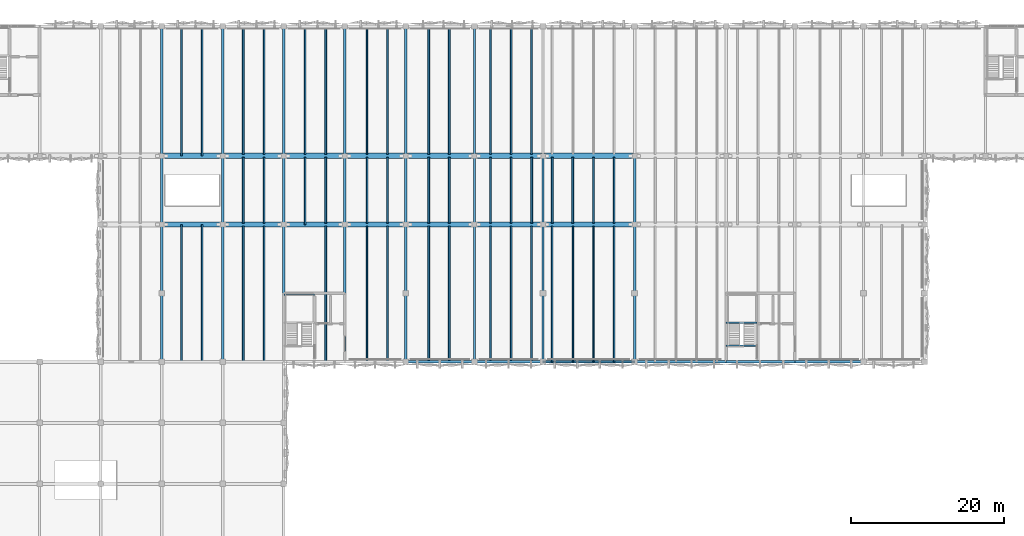
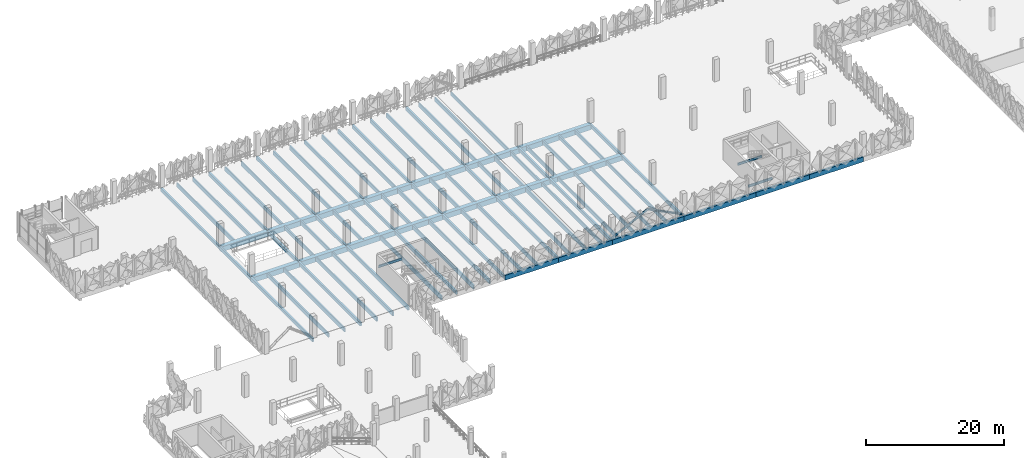
# One storey, part 13 of 83: 89 beams, 2 members.
"""IFC4 building model written with IfcOpenShell, lengths in metres."""

from ifc_helpers import new_model, si_unit, derived_unit, direction, frame, origin, origin_2d, place, context, subcontext, project, spatial, rectangle, hollow_circle, i_section, extrude, material, material_profile, profile_set, type_object, element, save


model = new_model("IFC4")

# Units and contexts
model_context = context("Model", 3, precision=1e-05, world=origin(), true_north=direction((0.0, 1.0)))
body_context = subcontext(model_context, "Body", "Model", "MODEL_VIEW")
ifc_project = project(units=[si_unit("LENGTHUNIT", "METRE"), si_unit("AREAUNIT", "SQUARE_METRE"), si_unit("VOLUMEUNIT", "CUBIC_METRE"), si_unit("PLANEANGLEUNIT", "RADIAN"), si_unit("MASSUNIT", "GRAM", prefix="KILO"), si_unit("THERMODYNAMICTEMPERATUREUNIT", "KELVIN"), derived_unit("THERMALTRANSMITTANCEUNIT", [(si_unit("POWERUNIT", "WATT"), 1), (si_unit("AREAUNIT", "SQUARE_METRE"), -1), (si_unit("THERMODYNAMICTEMPERATUREUNIT", "KELVIN"), -1)])], contexts=[model_context])

# Site, building, storey
site_placement = place(None, origin())
site = spatial("IfcSite", under=ifc_project, at=site_placement, CompositionType="ELEMENT")
building_placement = place(site_placement, origin())
building = spatial("IfcBuilding", under=site, at=building_placement, Name="Haiyu Intermodal Mobility Hub", CompositionType="ELEMENT")
storey_placement = place(building_placement, frame((0.0, 0.0, 13.39990234375)))
storey = spatial("IfcBuildingStorey", under=building, at=storey_placement, Name="L03", CompositionType="ELEMENT", Elevation=13.39990234375)

# Beams
ifc_material_1 = material(Name="Concrete C40", Category="concrete")
ifc_material_profile_1 = material_profile(ifc_material_1, rectangle(XDim=0.300048828125, YDim=0.60009765625, at=origin_2d()), Name="RCB300x600")
ifc_profile_set_1 = profile_set([ifc_material_profile_1], Name="Concrete C40")
beam_type_1 = type_object("IfcBeamType", Name="BM-CB07", PredefinedType="JOIST", material=ifc_profile_set_1)
beam_1_placement = place(storey_placement, frame((46.0, 104.0, -0.574951171875), z_axis=(0.0, 1.0, 0.0), x_axis=(-1.0, 0.0, 0.0)))
element("IfcBeam", 1, at=beam_1_placement, inside=storey, type_object=beam_type_1, Name="BM-V4E-L03-006", PredefinedType="JOIST", context=body_context, shape_type="SweptSolid", body=[
    extrude(rectangle(XDim=0.300048828125, YDim=0.60009765625, at=origin_2d()), origin(), (0.0, 0.0, 1.0), 18.0),
])
beam_2_placement = place(storey_placement, frame((46.0, 122.0, -0.574951171875), z_axis=(0.0, 1.0, 0.0), x_axis=(-1.0, 0.0, 0.0)))
element("IfcBeam", 2, at=beam_2_placement, inside=storey, type_object=beam_type_1, Name="BM-V4E-L03-007", PredefinedType="JOIST", context=body_context, shape_type="SweptSolid", body=[
    extrude(rectangle(XDim=0.300048828125, YDim=0.60009765625, at=origin_2d()), origin(), (0.0, 0.0, 1.0), 9.0),
])
beam_3_placement = place(storey_placement, frame((46.0, 131.0, -0.574951171875), z_axis=(0.0, 1.0, 0.0), x_axis=(-1.0, 0.0, 0.0)))
element("IfcBeam", 3, at=beam_3_placement, inside=storey, type_object=beam_type_1, Name="BM-V4E-L03-008", PredefinedType="JOIST", context=body_context, shape_type="SweptSolid", body=[
    extrude(rectangle(XDim=0.300048828125, YDim=0.60009765625, at=origin_2d()), origin(), (0.0, 0.0, 1.0), 17.0),
])
beam_4_placement = place(storey_placement, frame((54.0, 104.0, -0.574951171875), z_axis=(0.0, 1.0, 0.0), x_axis=(-1.0, 0.0, 0.0)))
element("IfcBeam", 4, at=beam_4_placement, inside=storey, type_object=beam_type_1, Name="BM-V4E-L03-009", PredefinedType="JOIST", context=body_context, shape_type="SweptSolid", body=[
    extrude(rectangle(XDim=0.300048828125, YDim=0.60009765625, at=origin_2d()), origin(), (0.0, 0.0, 1.0), 18.0),
])
beam_5_placement = place(storey_placement, frame((54.0, 122.0, -0.574951171875), z_axis=(0.0, 1.0, 0.0), x_axis=(-1.0, 0.0, 0.0)))
element("IfcBeam", 5, at=beam_5_placement, inside=storey, type_object=beam_type_1, Name="BM-V4E-L03-010", PredefinedType="JOIST", context=body_context, shape_type="SweptSolid", body=[
    extrude(rectangle(XDim=0.300048828125, YDim=0.60009765625, at=origin_2d()), origin(), (0.0, 0.0, 1.0), 9.0),
])
beam_6_placement = place(storey_placement, frame((54.0, 131.0, -0.574951171875), z_axis=(0.0, 1.0, 0.0), x_axis=(-1.0, 0.0, 0.0)))
element("IfcBeam", 6, at=beam_6_placement, inside=storey, type_object=beam_type_1, Name="BM-V4E-L03-011", PredefinedType="JOIST", context=body_context, shape_type="SweptSolid", body=[
    extrude(rectangle(XDim=0.300048828125, YDim=0.60009765625, at=origin_2d()), origin(), (0.0, 0.0, 1.0), 17.0),
])
beam_7_placement = place(storey_placement, frame((62.0, 104.0, -0.574951171875), z_axis=(0.0, 1.0, 0.0), x_axis=(-1.0, 0.0, 0.0)))
element("IfcBeam", 7, at=beam_7_placement, inside=storey, type_object=beam_type_1, Name="BM-V4E-L03-012", PredefinedType="JOIST", context=body_context, shape_type="SweptSolid", body=[
    extrude(rectangle(XDim=0.300048828125, YDim=0.60009765625, at=origin_2d()), origin(), (0.0, 0.0, 1.0), 18.0),
])
beam_8_placement = place(storey_placement, frame((62.0, 122.0, -0.574951171875), z_axis=(0.0, 1.0, 0.0), x_axis=(-1.0, 0.0, 0.0)))
element("IfcBeam", 8, at=beam_8_placement, inside=storey, type_object=beam_type_1, Name="BM-V4E-L03-013", PredefinedType="JOIST", context=body_context, shape_type="SweptSolid", body=[
    extrude(rectangle(XDim=0.300048828125, YDim=0.60009765625, at=origin_2d()), origin(), (0.0, 0.0, 1.0), 9.0),
])
beam_9_placement = place(storey_placement, frame((62.0, 131.0, -0.574951171875), z_axis=(0.0, 1.0, 0.0), x_axis=(-1.0, 0.0, 0.0)))
element("IfcBeam", 9, at=beam_9_placement, inside=storey, type_object=beam_type_1, Name="BM-V4E-L03-014", PredefinedType="JOIST", context=body_context, shape_type="SweptSolid", body=[
    extrude(rectangle(XDim=0.300048828125, YDim=0.60009765625, at=origin_2d()), origin(), (0.0, 0.0, 1.0), 17.0),
])
beam_10_placement = place(storey_placement, frame((70.0, 104.0, -0.574951171875), z_axis=(0.0, 1.0, 0.0), x_axis=(-1.0, 0.0, 0.0)))
element("IfcBeam", 10, at=beam_10_placement, inside=storey, type_object=beam_type_1, Name="BM-V4E-L03-015", PredefinedType="JOIST", context=body_context, shape_type="SweptSolid", body=[
    extrude(rectangle(XDim=0.300048828125, YDim=0.60009765625, at=origin_2d()), origin(), (0.0, 0.0, 1.0), 18.0),
])
beam_11_placement = place(storey_placement, frame((70.0, 122.0, -0.574951171875), z_axis=(0.0, 1.0, 0.0), x_axis=(-1.0, 0.0, 0.0)))
element("IfcBeam", 11, at=beam_11_placement, inside=storey, type_object=beam_type_1, Name="BM-V4E-L03-016", PredefinedType="JOIST", context=body_context, shape_type="SweptSolid", body=[
    extrude(rectangle(XDim=0.300048828125, YDim=0.60009765625, at=origin_2d()), origin(), (0.0, 0.0, 1.0), 9.0),
])
beam_12_placement = place(storey_placement, frame((70.0, 131.0, -0.574951171875), z_axis=(0.0, 1.0, 0.0), x_axis=(-1.0, 0.0, 0.0)))
element("IfcBeam", 12, at=beam_12_placement, inside=storey, type_object=beam_type_1, Name="BM-V4E-L03-017", PredefinedType="JOIST", context=body_context, shape_type="SweptSolid", body=[
    extrude(rectangle(XDim=0.300048828125, YDim=0.60009765625, at=origin_2d()), origin(), (0.0, 0.0, 1.0), 17.0),
])
beam_13_placement = place(storey_placement, frame((78.0, 104.0, -0.574951171875), z_axis=(0.0, 1.0, 0.0), x_axis=(-1.0, 0.0, 0.0)))
element("IfcBeam", 13, at=beam_13_placement, inside=storey, type_object=beam_type_1, Name="BM-V4E-L03-018", PredefinedType="JOIST", context=body_context, shape_type="SweptSolid", body=[
    extrude(rectangle(XDim=0.300048828125, YDim=0.60009765625, at=origin_2d()), origin(), (0.0, 0.0, 1.0), 18.0),
])
beam_14_placement = place(storey_placement, frame((78.0, 122.0, -0.574951171875), z_axis=(0.0, 1.0, 0.0), x_axis=(-1.0, 0.0, 0.0)))
element("IfcBeam", 14, at=beam_14_placement, inside=storey, type_object=beam_type_1, Name="BM-V4E-L03-019", PredefinedType="JOIST", context=body_context, shape_type="SweptSolid", body=[
    extrude(rectangle(XDim=0.300048828125, YDim=0.60009765625, at=origin_2d()), origin(), (0.0, 0.0, 1.0), 9.0),
])
beam_15_placement = place(storey_placement, frame((78.0, 131.0, -0.574951171875), z_axis=(0.0, 1.0, 0.0), x_axis=(-1.0, 0.0, 0.0)))
element("IfcBeam", 15, at=beam_15_placement, inside=storey, type_object=beam_type_1, Name="BM-V4E-L03-020", PredefinedType="JOIST", context=body_context, shape_type="SweptSolid", body=[
    extrude(rectangle(XDim=0.300048828125, YDim=0.60009765625, at=origin_2d()), origin(), (0.0, 0.0, 1.0), 17.0),
])
beam_16_placement = place(storey_placement, frame((87.0, 104.0, -0.574951171875), z_axis=(0.0, 1.0, 0.0), x_axis=(-1.0, 0.0, 0.0)))
element("IfcBeam", 16, at=beam_16_placement, inside=storey, type_object=beam_type_1, Name="BM-V4E-L03-021", PredefinedType="JOIST", context=body_context, shape_type="SweptSolid", body=[
    extrude(rectangle(XDim=0.300048828125, YDim=0.60009765625, at=origin_2d()), origin(), (0.0, 0.0, 1.0), 18.0),
])
beam_17_placement = place(storey_placement, frame((87.0, 122.0, -0.574951171875), z_axis=(0.0, 1.0, 0.0), x_axis=(-1.0, 0.0, 0.0)))
element("IfcBeam", 17, at=beam_17_placement, inside=storey, type_object=beam_type_1, Name="BM-V4E-L03-022", PredefinedType="JOIST", context=body_context, shape_type="SweptSolid", body=[
    extrude(rectangle(XDim=0.300048828125, YDim=0.60009765625, at=origin_2d()), origin(), (0.0, 0.0, 1.0), 9.0),
])
beam_18_placement = place(storey_placement, frame((87.0, 131.0, -0.574951171875), z_axis=(0.0, 1.0, 0.0), x_axis=(-1.0, 0.0, 0.0)))
element("IfcBeam", 18, at=beam_18_placement, inside=storey, type_object=beam_type_1, Name="BM-V4E-L03-023", PredefinedType="JOIST", context=body_context, shape_type="SweptSolid", body=[
    extrude(rectangle(XDim=0.300048828125, YDim=0.60009765625, at=origin_2d()), origin(), (0.0, 0.0, 1.0), 17.0),
])
beam_19_placement = place(storey_placement, frame((96.0, 104.0, -0.574951171875), z_axis=(0.0, 1.0, 0.0), x_axis=(-1.0, 0.0, 0.0)))
element("IfcBeam", 19, at=beam_19_placement, inside=storey, type_object=beam_type_1, Name="BM-V4E-L03-024", PredefinedType="JOIST", context=body_context, shape_type="SweptSolid", body=[
    extrude(rectangle(XDim=0.300048828125, YDim=0.60009765625, at=origin_2d()), origin(), (0.0, 0.0, 1.0), 18.0),
])
beam_20_placement = place(storey_placement, frame((96.0, 122.0, -0.574951171875), z_axis=(0.0, 1.0, 0.0), x_axis=(-1.0, 0.0, 0.0)))
element("IfcBeam", 20, at=beam_20_placement, inside=storey, type_object=beam_type_1, Name="BM-V4E-L03-025", PredefinedType="JOIST", context=body_context, shape_type="SweptSolid", body=[
    extrude(rectangle(XDim=0.300048828125, YDim=0.60009765625, at=origin_2d()), origin(), (0.0, 0.0, 1.0), 9.0),
])
beam_21_placement = place(storey_placement, frame((108.0, 104.0, -0.574951171875), z_axis=(0.0, 1.0, 0.0), x_axis=(-1.0, 0.0, 0.0)))
element("IfcBeam", 21, at=beam_21_placement, inside=storey, type_object=beam_type_1, Name="BM-V4E-L03-027", PredefinedType="JOIST", context=body_context, shape_type="SweptSolid", body=[
    extrude(rectangle(XDim=0.300048828125, YDim=0.60009765625, at=origin_2d()), origin(), (0.0, 0.0, 1.0), 18.0),
])
beam_22_placement = place(storey_placement, frame((108.0, 122.0, -0.574951171875), z_axis=(0.0, 1.0, 0.0), x_axis=(-1.0, 0.0, 0.0)))
element("IfcBeam", 22, at=beam_22_placement, inside=storey, type_object=beam_type_1, Name="BM-V4E-L03-028", PredefinedType="JOIST", context=body_context, shape_type="SweptSolid", body=[
    extrude(rectangle(XDim=0.300048828125, YDim=0.60009765625, at=origin_2d()), origin(), (0.0, 0.0, 1.0), 9.0),
])
ifc_material_2 = material(Name="Precast concrete C50", Category="concrete")
ifc_material_profile_2 = material_profile(ifc_material_2, rectangle(XDim=0.219970703125, YDim=0.719970703125, at=origin_2d()), Name="PC220x720")
ifc_profile_set_2 = profile_set([ifc_material_profile_2], Name="Precast concrete C50")
beam_type_2 = type_object("IfcBeamType", Name="BM-DT02", PredefinedType="JOIST", material=ifc_profile_set_2)
beam_23_placement = place(storey_placement, frame((48.60009765625, 104.0, -0.635009765625), z_axis=(0.0, 1.0, 0.0), x_axis=(-1.0, 0.0, 0.0)))
element("IfcBeam", 23, at=beam_23_placement, inside=storey, type_object=beam_type_2, Name="BM-DT-L03-007", PredefinedType="JOIST", context=body_context, shape_type="SweptSolid", body=[
    extrude(rectangle(XDim=0.219970703125, YDim=0.719970703125, at=origin_2d()), origin(), (0.0, 0.0, 1.0), 18.0),
])
beam_24_placement = place(storey_placement, frame((48.60009765625, 131.0, -0.635009765625), z_axis=(0.0, 1.0, 0.0), x_axis=(-1.0, 0.0, 0.0)))
element("IfcBeam", 24, at=beam_24_placement, inside=storey, type_object=beam_type_2, Name="BM-DT-L03-008", PredefinedType="JOIST", context=body_context, shape_type="SweptSolid", body=[
    extrude(rectangle(XDim=0.219970703125, YDim=0.719970703125, at=origin_2d()), origin(), (0.0, 0.0, 1.0), 17.0),
])
beam_25_placement = place(storey_placement, frame((51.300048828125, 104.0, -0.635009765625), z_axis=(0.0, 1.0, 0.0), x_axis=(-1.0, 0.0, 0.0)))
element("IfcBeam", 25, at=beam_25_placement, inside=storey, type_object=beam_type_2, Name="BM-DT-L03-009", PredefinedType="JOIST", context=body_context, shape_type="SweptSolid", body=[
    extrude(rectangle(XDim=0.219970703125, YDim=0.719970703125, at=origin_2d()), origin(), (0.0, 0.0, 1.0), 18.0),
])
beam_26_placement = place(storey_placement, frame((51.300048828125, 131.0, -0.635009765625), z_axis=(0.0, 1.0, 0.0), x_axis=(-1.0, 0.0, 0.0)))
element("IfcBeam", 26, at=beam_26_placement, inside=storey, type_object=beam_type_2, Name="BM-DT-L03-010", PredefinedType="JOIST", context=body_context, shape_type="SweptSolid", body=[
    extrude(rectangle(XDim=0.219970703125, YDim=0.719970703125, at=origin_2d()), origin(), (0.0, 0.0, 1.0), 17.0),
])
beam_27_placement = place(storey_placement, frame((56.699951171875, 104.0, -0.635009765625), z_axis=(0.0, 1.0, 0.0), x_axis=(-1.0, 0.0, 0.0)))
element("IfcBeam", 27, at=beam_27_placement, inside=storey, type_object=beam_type_2, Name="BM-DT-L03-011", PredefinedType="JOIST", context=body_context, shape_type="SweptSolid", body=[
    extrude(rectangle(XDim=0.219970703125, YDim=0.719970703125, at=origin_2d()), origin(), (0.0, 0.0, 1.0), 17.804931640625),
])
beam_28_placement = place(storey_placement, frame((56.699951171875, 131.195068359375, -0.635009765625), z_axis=(0.0, 1.0, 0.0), x_axis=(-1.0, 0.0, 0.0)))
element("IfcBeam", 28, at=beam_28_placement, inside=storey, type_object=beam_type_2, Name="BM-DT-L03-013", PredefinedType="JOIST", context=body_context, shape_type="SweptSolid", body=[
    extrude(rectangle(XDim=0.219970703125, YDim=0.719970703125, at=origin_2d()), origin(), (0.0, 0.0, 1.0), 16.804931640625),
])
beam_29_placement = place(storey_placement, frame((59.39990234375, 104.0, -0.635009765625), z_axis=(0.0, 1.0, 0.0), x_axis=(-1.0, 0.0, 0.0)))
element("IfcBeam", 29, at=beam_29_placement, inside=storey, type_object=beam_type_2, Name="BM-DT-L03-014", PredefinedType="JOIST", context=body_context, shape_type="SweptSolid", body=[
    extrude(rectangle(XDim=0.219970703125, YDim=0.719970703125, at=origin_2d()), origin(), (0.0, 0.0, 1.0), 17.804931640625),
])
for number, where, z_axis, x_axis, name in (
    (30, (59.39990234375, 131.195068359375, -0.635009765625), (0.0, 1.0, 0.0), (-1.0, 0.0, 0.0), "BM-DT-L03-016"),
    (31, (64.800048828125, 131.195068359375, -0.635009765625), (0.0, 1.0, 0.0), (-1.0, 0.0, 0.0), "BM-DT-L03-019"),
):
    element("IfcBeam", number, at=place(storey_placement, frame(where, z_axis=z_axis, x_axis=x_axis)), inside=storey, type_object=beam_type_2, Name=name, PredefinedType="JOIST", context=body_context, shape_type="SweptSolid", body=[
        extrude(rectangle(XDim=0.219970703125, YDim=0.719970703125, at=origin_2d()), origin(), (0.0, 0.0, 1.0), 16.804931640625),
    ])
beam_30_placement = place(storey_placement, frame((67.5, 104.0, -0.635009765625), z_axis=(0.0, 1.0, 0.0), x_axis=(-1.0, 0.0, 0.0)))
element("IfcBeam", 32, at=beam_30_placement, inside=storey, type_object=beam_type_2, Name="BM-DT-L03-020", PredefinedType="JOIST", context=body_context, shape_type="SweptSolid", body=[
    extrude(rectangle(XDim=0.219970703125, YDim=0.719970703125, at=origin_2d()), origin(), (0.0, 0.0, 1.0), 17.804931640625),
])
beam_31_placement = place(storey_placement, frame((67.5, 131.195068359375, -0.635009765625), z_axis=(0.0, 1.0, 0.0), x_axis=(-1.0, 0.0, 0.0)))
element("IfcBeam", 33, at=beam_31_placement, inside=storey, type_object=beam_type_2, Name="BM-DT-L03-022", PredefinedType="JOIST", context=body_context, shape_type="SweptSolid", body=[
    extrude(rectangle(XDim=0.219970703125, YDim=0.719970703125, at=origin_2d()), origin(), (0.0, 0.0, 1.0), 16.804931640625),
])
beam_32_placement = place(storey_placement, frame((72.89990234375, 104.0, -0.635009765625), z_axis=(0.0, 1.0, 0.0), x_axis=(-1.0, 0.0, 0.0)))
element("IfcBeam", 34, at=beam_32_placement, inside=storey, type_object=beam_type_2, Name="BM-DT-L03-023", PredefinedType="JOIST", context=body_context, shape_type="SweptSolid", body=[
    extrude(rectangle(XDim=0.219970703125, YDim=0.719970703125, at=origin_2d()), origin(), (0.0, 0.0, 1.0), 17.804931640625),
])
beam_33_placement = place(storey_placement, frame((72.89990234375, 131.195068359375, -0.635009765625), z_axis=(0.0, 1.0, 0.0), x_axis=(-1.0, 0.0, 0.0)))
element("IfcBeam", 35, at=beam_33_placement, inside=storey, type_object=beam_type_2, Name="BM-DT-L03-025", PredefinedType="JOIST", context=body_context, shape_type="SweptSolid", body=[
    extrude(rectangle(XDim=0.219970703125, YDim=0.719970703125, at=origin_2d()), origin(), (0.0, 0.0, 1.0), 16.804931640625),
])
beam_34_placement = place(storey_placement, frame((75.60009765625, 104.0, -0.635009765625), z_axis=(0.0, 1.0, 0.0), x_axis=(-1.0, 0.0, 0.0)))
element("IfcBeam", 36, at=beam_34_placement, inside=storey, type_object=beam_type_2, Name="BM-DT-L03-026", PredefinedType="JOIST", context=body_context, shape_type="SweptSolid", body=[
    extrude(rectangle(XDim=0.219970703125, YDim=0.719970703125, at=origin_2d()), origin(), (0.0, 0.0, 1.0), 17.804931640625),
])
beam_35_placement = place(storey_placement, frame((75.60009765625, 131.195068359375, -0.635009765625), z_axis=(0.0, 1.0, 0.0), x_axis=(-1.0, 0.0, 0.0)))
element("IfcBeam", 37, at=beam_35_placement, inside=storey, type_object=beam_type_2, Name="BM-DT-L03-028", PredefinedType="JOIST", context=body_context, shape_type="SweptSolid", body=[
    extrude(rectangle(XDim=0.219970703125, YDim=0.719970703125, at=origin_2d()), origin(), (0.0, 0.0, 1.0), 16.804931640625),
])
beam_36_placement = place(storey_placement, frame((81.0, 104.0, -0.635009765625), z_axis=(0.0, 1.0, 0.0), x_axis=(-1.0, 0.0, 0.0)))
element("IfcBeam", 38, at=beam_36_placement, inside=storey, type_object=beam_type_2, Name="BM-DT-L03-029", PredefinedType="JOIST", context=body_context, shape_type="SweptSolid", body=[
    extrude(rectangle(XDim=0.219970703125, YDim=0.719970703125, at=origin_2d()), origin(), (0.0, 0.0, 1.0), 17.804931640625),
])
beam_37_placement = place(storey_placement, frame((81.0, 131.195068359375, -0.635009765625), z_axis=(0.0, 1.0, 0.0), x_axis=(-1.0, 0.0, 0.0)))
element("IfcBeam", 39, at=beam_37_placement, inside=storey, type_object=beam_type_2, Name="BM-DT-L03-031", PredefinedType="JOIST", context=body_context, shape_type="SweptSolid", body=[
    extrude(rectangle(XDim=0.219970703125, YDim=0.719970703125, at=origin_2d()), origin(), (0.0, 0.0, 1.0), 16.804931640625),
])
beam_38_placement = place(storey_placement, frame((83.699951171875, 104.0, -0.635009765625), z_axis=(0.0, 1.0, 0.0), x_axis=(-1.0, 0.0, 0.0)))
element("IfcBeam", 40, at=beam_38_placement, inside=storey, type_object=beam_type_2, Name="BM-DT-L03-032", PredefinedType="JOIST", context=body_context, shape_type="SweptSolid", body=[
    extrude(rectangle(XDim=0.219970703125, YDim=0.719970703125, at=origin_2d()), origin(), (0.0, 0.0, 1.0), 17.804931640625),
])
beam_39_placement = place(storey_placement, frame((83.699951171875, 131.195068359375, -0.635009765625), z_axis=(0.0, 1.0, 0.0), x_axis=(-1.0, 0.0, 0.0)))
element("IfcBeam", 41, at=beam_39_placement, inside=storey, type_object=beam_type_2, Name="BM-DT-L03-034", PredefinedType="JOIST", context=body_context, shape_type="SweptSolid", body=[
    extrude(rectangle(XDim=0.219970703125, YDim=0.719970703125, at=origin_2d()), origin(), (0.0, 0.0, 1.0), 16.804931640625),
])
beam_40_placement = place(storey_placement, frame((89.10009765625, 104.0, -0.635009765625), z_axis=(0.0, 1.0, 0.0), x_axis=(-1.0, 0.0, 0.0)))
element("IfcBeam", 42, at=beam_40_placement, inside=storey, type_object=beam_type_2, Name="BM-DT-L03-035", PredefinedType="JOIST", context=body_context, shape_type="SweptSolid", body=[
    extrude(rectangle(XDim=0.219970703125, YDim=0.719970703125, at=origin_2d()), origin(), (0.0, 0.0, 1.0), 17.804931640625),
])
beam_41_placement = place(storey_placement, frame((89.10009765625, 131.195068359375, -0.635009765625), z_axis=(0.0, 1.0, 0.0), x_axis=(-1.0, 0.0, 0.0)))
element("IfcBeam", 43, at=beam_41_placement, inside=storey, type_object=beam_type_2, Name="BM-DT-L03-037", PredefinedType="JOIST", context=body_context, shape_type="SweptSolid", body=[
    extrude(rectangle(XDim=0.219970703125, YDim=0.719970703125, at=origin_2d()), origin(), (0.0, 0.0, 1.0), 16.804931640625),
])
beam_42_placement = place(storey_placement, frame((91.800048828125, 104.0, -0.635009765625), z_axis=(0.0, 1.0, 0.0), x_axis=(-1.0, 0.0, 0.0)))
element("IfcBeam", 44, at=beam_42_placement, inside=storey, type_object=beam_type_2, Name="BM-DT-L03-038", PredefinedType="JOIST", context=body_context, shape_type="SweptSolid", body=[
    extrude(rectangle(XDim=0.219970703125, YDim=0.719970703125, at=origin_2d()), origin(), (0.0, 0.0, 1.0), 17.804931640625),
])
beam_43_placement = place(storey_placement, frame((91.800048828125, 131.195068359375, -0.635009765625), z_axis=(0.0, 1.0, 0.0), x_axis=(-1.0, 0.0, 0.0)))
element("IfcBeam", 45, at=beam_43_placement, inside=storey, type_object=beam_type_2, Name="BM-DT-L03-040", PredefinedType="JOIST", context=body_context, shape_type="SweptSolid", body=[
    extrude(rectangle(XDim=0.219970703125, YDim=0.719970703125, at=origin_2d()), origin(), (0.0, 0.0, 1.0), 16.804931640625),
])
ifc_material_profile_3 = material_profile(ifc_material_2, rectangle(XDim=0.199951171875, YDim=0.659912109375, at=origin_2d()), Name="PC200x660")
ifc_profile_set_3 = profile_set([ifc_material_profile_3], Name="Precast concrete C50")
beam_type_3 = type_object("IfcBeamType", Name="BM-DT03", PredefinedType="JOIST", material=ifc_profile_set_3)
beam_44_placement = place(storey_placement, frame((94.5, 104.0, -0.60498046875), z_axis=(0.0, 1.0, 0.0), x_axis=(-1.0, 0.0, 0.0)))
element("IfcBeam", 46, at=beam_44_placement, inside=storey, type_object=beam_type_3, Name="BM-DT-L03-041", PredefinedType="JOIST", context=body_context, shape_type="SweptSolid", body=[
    extrude(rectangle(XDim=0.199951171875, YDim=0.659912109375, at=origin_2d()), origin(), (0.0, 0.0, 1.0), 17.804931640625),
])
beam_45_placement = place(storey_placement, frame((94.5, 131.195068359375, -0.60498046875), z_axis=(0.0, 1.0, 0.0), x_axis=(-1.0, 0.0, 0.0)))
element("IfcBeam", 47, at=beam_45_placement, inside=storey, type_object=beam_type_3, Name="BM-DT-L03-043", PredefinedType="JOIST", context=body_context, shape_type="SweptSolid", body=[
    extrude(rectangle(XDim=0.199951171875, YDim=0.659912109375, at=origin_2d()), origin(), (0.0, 0.0, 1.0), 16.804931640625),
])
for number, where, z_axis, x_axis, name in (
    (48, (97.199951171875, 104.0, -0.60498046875), (0.0, 1.0, 0.0), (-1.0, 0.0, 0.0), "BM-DT-L03-044"),
    (49, (99.89990234375, 104.0, -0.60498046875), (0.0, 1.0, 0.0), (-1.0, 0.0, 0.0), "BM-DT-L03-047"),
    (50, (102.60009765625, 104.0, -0.60498046875), (0.0, 1.0, 0.0), (-1.0, 0.0, 0.0), "BM-DT-L03-050"),
    (51, (105.300048828125, 104.0, -0.60498046875), (0.0, 1.0, 0.0), (-1.0, 0.0, 0.0), "BM-DT-L03-053"),
):
    element("IfcBeam", number, at=place(storey_placement, frame(where, z_axis=z_axis, x_axis=x_axis)), inside=storey, type_object=beam_type_3, Name=name, PredefinedType="JOIST", context=body_context, shape_type="SweptSolid", body=[
        extrude(rectangle(XDim=0.199951171875, YDim=0.659912109375, at=origin_2d()), origin(), (0.0, 0.0, 1.0), 17.804931640625),
    ])
ifc_material_profile_4 = material_profile(ifc_material_2, rectangle(XDim=0.22998046875, YDim=0.68994140625, at=origin_2d()), Name="B230x690")
ifc_profile_set_4 = profile_set([ifc_material_profile_4], Name="Precast concrete C50")
beam_type_4 = type_object("IfcBeamType", Name="BM-DT06", PredefinedType="JOIST", material=ifc_profile_set_4)
for number, where, z_axis, x_axis, name in (
    (52, (56.699951171875, 122.195068359375, -0.619873046875), (0.0, 1.0, 0.0), (-1.0, 0.0, 0.0), "BM-DT-L03-012"),
    (53, (59.39990234375, 122.195068359375, -0.619873046875), (0.0, 1.0, 0.0), (-1.0, 0.0, 0.0), "BM-DT-L03-015"),
):
    element("IfcBeam", number, at=place(storey_placement, frame(where, z_axis=z_axis, x_axis=x_axis)), inside=storey, type_object=beam_type_4, Name=name, PredefinedType="JOIST", context=body_context, shape_type="SweptSolid", body=[
        extrude(rectangle(XDim=0.22998046875, YDim=0.68994140625, at=origin_2d()), origin(), (0.0, 0.0, 1.0), 8.60986328125),
    ])
beam_46_placement = place(storey_placement, frame((64.800048828125, 122.0, -0.619873046875), z_axis=(0.0, 1.0, 0.0), x_axis=(-1.0, 0.0, 0.0)))
element("IfcBeam", 54, at=beam_46_placement, inside=storey, type_object=beam_type_4, Name="BM-DT-L03-018", PredefinedType="JOIST", context=body_context, shape_type="SweptSolid", body=[
    extrude(rectangle(XDim=0.22998046875, YDim=0.68994140625, at=origin_2d()), origin(), (0.0, 0.0, 1.0), 8.804931640625),
])
for number, where, z_axis, x_axis, name in (
    (55, (67.5, 122.195068359375, -0.619873046875), (0.0, 1.0, 0.0), (-1.0, 0.0, 0.0), "BM-DT-L03-021"),
    (56, (72.89990234375, 122.195068359375, -0.619873046875), (0.0, 1.0, 0.0), (-1.0, 0.0, 0.0), "BM-DT-L03-024"),
    (57, (75.60009765625, 122.195068359375, -0.619873046875), (0.0, 1.0, 0.0), (-1.0, 0.0, 0.0), "BM-DT-L03-027"),
    (58, (81.0, 122.195068359375, -0.619873046875), (0.0, 1.0, 0.0), (-1.0, 0.0, 0.0), "BM-DT-L03-030"),
    (59, (83.699951171875, 122.195068359375, -0.619873046875), (0.0, 1.0, 0.0), (-1.0, 0.0, 0.0), "BM-DT-L03-033"),
    (60, (89.10009765625, 122.195068359375, -0.619873046875), (0.0, 1.0, 0.0), (-1.0, 0.0, 0.0), "BM-DT-L03-036"),
    (61, (91.800048828125, 122.195068359375, -0.619873046875), (0.0, 1.0, 0.0), (-1.0, 0.0, 0.0), "BM-DT-L03-039"),
    (62, (94.5, 122.195068359375, -0.619873046875), (0.0, 1.0, 0.0), (-1.0, 0.0, 0.0), "BM-DT-L03-042"),
    (63, (97.199951171875, 122.195068359375, -0.619873046875), (0.0, 1.0, 0.0), (-1.0, 0.0, 0.0), "BM-DT-L03-045"),
    (64, (99.89990234375, 122.195068359375, -0.619873046875), (0.0, 1.0, 0.0), (-1.0, 0.0, 0.0), "BM-DT-L03-048"),
    (65, (102.60009765625, 122.195068359375, -0.619873046875), (0.0, 1.0, 0.0), (-1.0, 0.0, 0.0), "BM-DT-L03-051"),
    (66, (105.300048828125, 122.195068359375, -0.619873046875), (0.0, 1.0, 0.0), (-1.0, 0.0, 0.0), "BM-DT-L03-054"),
):
    element("IfcBeam", number, at=place(storey_placement, frame(where, z_axis=z_axis, x_axis=x_axis)), inside=storey, type_object=beam_type_4, Name=name, PredefinedType="JOIST", context=body_context, shape_type="SweptSolid", body=[
        extrude(rectangle(XDim=0.22998046875, YDim=0.68994140625, at=origin_2d()), origin(), (0.0, 0.0, 1.0), 8.60986328125),
    ])
ifc_material_profile_5 = material_profile(ifc_material_2, rectangle(XDim=0.699951171875, YDim=0.89990234375, at=origin_2d()), Name="PC700x900")
ifc_profile_set_5 = profile_set([ifc_material_profile_5], Name="Precast concrete C50")
beam_type_5 = type_object("IfcBeamType", Name="BM-IT02", PredefinedType="T_BEAM", material=ifc_profile_set_5)
for number, where, z_axis, x_axis, name in (
    (67, (46.0, 122.0, -0.724853515625), (1.0, 0.0, 0.0), (0.0, 1.0, 0.0), "BM-V4G-L03-014"),
    (68, (54.0, 122.0, -0.724853515625), (1.0, 0.0, 0.0), (0.0, 1.0, 0.0), "BM-V4G-L03-015"),
    (69, (62.0, 122.0, -0.724853515625), (1.0, 0.0, 0.0), (0.0, 1.0, 0.0), "BM-V4G-L03-016"),
    (70, (70.0, 122.0, -0.724853515625), (1.0, 0.0, 0.0), (0.0, 1.0, 0.0), "BM-V4G-L03-017"),
):
    element("IfcBeam", number, at=place(storey_placement, frame(where, z_axis=z_axis, x_axis=x_axis)), inside=storey, type_object=beam_type_5, Name=name, PredefinedType="T_BEAM", context=body_context, shape_type="SweptSolid", body=[
        extrude(rectangle(XDim=0.699951171875, YDim=0.89990234375, at=origin_2d()), origin(), (0.0, 0.0, 1.0), 8.0),
    ])
for number, where, z_axis, x_axis, name in (
    (71, (78.0, 122.0, -0.724853515625), (1.0, 0.0, 0.0), (0.0, 1.0, 0.0), "BM-V4G-L03-018"),
    (72, (87.0, 122.0, -0.724853515625), (1.0, 0.0, 0.0), (0.0, 1.0, 0.0), "BM-V4G-L03-019"),
):
    element("IfcBeam", number, at=place(storey_placement, frame(where, z_axis=z_axis, x_axis=x_axis)), inside=storey, type_object=beam_type_5, Name=name, PredefinedType="T_BEAM", context=body_context, shape_type="SweptSolid", body=[
        extrude(rectangle(XDim=0.699951171875, YDim=0.89990234375, at=origin_2d()), origin(), (0.0, 0.0, 1.0), 9.0),
    ])
beam_47_placement = place(storey_placement, frame((96.0, 122.0, -0.724853515625), z_axis=(1.0, 0.0, 0.0), x_axis=(0.0, 1.0, 0.0)))
element("IfcBeam", 73, at=beam_47_placement, inside=storey, type_object=beam_type_5, Name="BM-V4G-L03-020", PredefinedType="T_BEAM", context=body_context, shape_type="SweptSolid", body=[
    extrude(rectangle(XDim=0.699951171875, YDim=0.89990234375, at=origin_2d()), origin(), (0.0, 0.0, 1.0), 12.0),
])
for number, where, z_axis, x_axis, name in (
    (74, (46.0, 131.0, -0.724853515625), (1.0, 0.0, 0.0), (0.0, 1.0, 0.0), "BM-V4G-L03-028"),
    (75, (54.0, 131.0, -0.724853515625), (1.0, 0.0, 0.0), (0.0, 1.0, 0.0), "BM-V4G-L03-029"),
    (76, (62.0, 131.0, -0.724853515625), (1.0, 0.0, 0.0), (0.0, 1.0, 0.0), "BM-V4G-L03-030"),
    (77, (70.0, 131.0, -0.724853515625), (1.0, 0.0, 0.0), (0.0, 1.0, 0.0), "BM-V4G-L03-031"),
):
    element("IfcBeam", number, at=place(storey_placement, frame(where, z_axis=z_axis, x_axis=x_axis)), inside=storey, type_object=beam_type_5, Name=name, PredefinedType="T_BEAM", context=body_context, shape_type="SweptSolid", body=[
        extrude(rectangle(XDim=0.699951171875, YDim=0.89990234375, at=origin_2d()), origin(), (0.0, 0.0, 1.0), 8.0),
    ])
for number, where, z_axis, x_axis, name in (
    (78, (78.0, 131.0, -0.724853515625), (1.0, 0.0, 0.0), (0.0, 1.0, 0.0), "BM-V4G-L03-032"),
    (79, (87.0, 131.0, -0.724853515625), (1.0, 0.0, 0.0), (0.0, 1.0, 0.0), "BM-V4G-L03-033"),
):
    element("IfcBeam", number, at=place(storey_placement, frame(where, z_axis=z_axis, x_axis=x_axis)), inside=storey, type_object=beam_type_5, Name=name, PredefinedType="T_BEAM", context=body_context, shape_type="SweptSolid", body=[
        extrude(rectangle(XDim=0.699951171875, YDim=0.89990234375, at=origin_2d()), origin(), (0.0, 0.0, 1.0), 9.0),
    ])
beam_48_placement = place(storey_placement, frame((96.0, 131.0, -0.724853515625), z_axis=(1.0, 0.0, 0.0), x_axis=(0.0, 1.0, 0.0)))
element("IfcBeam", 80, at=beam_48_placement, inside=storey, type_object=beam_type_5, Name="BM-V4G-L03-034", PredefinedType="T_BEAM", context=body_context, shape_type="SweptSolid", body=[
    extrude(rectangle(XDim=0.699951171875, YDim=0.89990234375, at=origin_2d()), origin(), (0.0, 0.0, 1.0), 12.0),
])
ifc_material_3 = material(Name="Steel Q355C", Category="steel")
ifc_material_profile_6 = material_profile(ifc_material_3, i_section(OverallWidth=0.199951171875, OverallDepth=0.39990234375, WebThickness=0.008056640625, FlangeThickness=0.012939453125, FilletRadius=0.01611328125, at=origin_2d()), Name="HN400x200x8x13")
ifc_profile_set_6 = profile_set([ifc_material_profile_6], Name="Steel Q355C")
beam_type_6 = type_object("IfcBeamType", Name="BM-SB08", PredefinedType="JOIST", material=ifc_profile_set_6)
for number, where, z_axis, x_axis, name in (
    (81, (62.0, 112.780029296875, 1.525146484375), (1.0, 0.0, 0.0), (0.0, 1.0, 0.0), "Stair Half-Landing Rear Beam C5-L03"),
    (82, (120.0, 106.10009765625, -0.52490234375), (1.0, 0.0, 0.0), (0.0, 1.0, 0.0), "Stair Arrival Trimmer Beam C6-L02"),
    (83, (120.0, 109.1298828125, 1.525146484375), (1.0, 0.0, 0.0), (0.0, 1.0, 0.0), "Stair Half-Landing Front Beam C6-L03"),
):
    element("IfcBeam", number, at=place(storey_placement, frame(where, z_axis=z_axis, x_axis=x_axis)), inside=storey, type_object=beam_type_6, Name=name, PredefinedType="JOIST", context=body_context, shape_type="SweptSolid", body=[
        extrude(i_section(OverallWidth=0.199951171875, OverallDepth=0.39990234375, WebThickness=0.008056640625, FlangeThickness=0.012939453125, FilletRadius=0.01611328125, at=origin_2d()), origin(), (0.0, 0.0, 1.0), 4.050048828125),
    ])
ifc_material_4 = material(Name="Precast concrete C40", Category="concrete")
ifc_material_profile_7 = material_profile(ifc_material_4, rectangle(XDim=0.320068359375, YDim=0.85009765625, at=origin_2d()), Name="PC320x850")
ifc_profile_set_7 = profile_set([ifc_material_profile_7], Name="Precast concrete C40")
beam_type_7 = type_object("IfcBeamType", Name="BM-SP02", PredefinedType="SPANDREL", material=ifc_profile_set_7)
for number, where, z_axis, x_axis, name in (
    (84, (78.0, 104.0, -0.699951171875), (1.0, 0.0, 0.0), (0.0, 1.0, 0.0), "BM-V4G-L03-006"),
    (85, (87.0, 104.0, -0.699951171875), (1.0, 0.0, 0.0), (0.0, 1.0, 0.0), "BM-V4G-L03-007"),
):
    element("IfcBeam", number, at=place(storey_placement, frame(where, z_axis=z_axis, x_axis=x_axis)), inside=storey, type_object=beam_type_7, Name=name, PredefinedType="SPANDREL", context=body_context, shape_type="SweptSolid", body=[
        extrude(rectangle(XDim=0.320068359375, YDim=0.85009765625, at=origin_2d()), origin(), (0.0, 0.0, 1.0), 9.0),
    ])
for number, where, z_axis, x_axis, name in (
    (86, (96.0, 104.0, -0.699951171875), (1.0, 0.0, 0.0), (0.0, 1.0, 0.0), "BM-V4G-L03-008"),
    (87, (108.0, 104.0, -0.699951171875), (1.0, 0.0, 0.0), (0.0, 1.0, 0.0), "BM-V4G-L03-009"),
):
    element("IfcBeam", number, at=place(storey_placement, frame(where, z_axis=z_axis, x_axis=x_axis)), inside=storey, type_object=beam_type_7, Name=name, PredefinedType="SPANDREL", context=body_context, shape_type="SweptSolid", body=[
        extrude(rectangle(XDim=0.320068359375, YDim=0.85009765625, at=origin_2d()), origin(), (0.0, 0.0, 1.0), 12.0),
    ])
for number, where, z_axis, x_axis, name in (
    (88, (120.0, 104.0, -0.699951171875), (1.0, 0.0, 0.0), (0.0, 1.0, 0.0), "BM-V4G-L03-010"),
    (89, (129.0, 104.0, -0.699951171875), (1.0, 0.0, 0.0), (0.0, 1.0, 0.0), "BM-V4G-L03-011"),
):
    element("IfcBeam", number, at=place(storey_placement, frame(where, z_axis=z_axis, x_axis=x_axis)), inside=storey, type_object=beam_type_7, Name=name, PredefinedType="SPANDREL", context=body_context, shape_type="SweptSolid", body=[
        extrude(rectangle(XDim=0.320068359375, YDim=0.85009765625, at=origin_2d()), origin(), (0.0, 0.0, 1.0), 9.0),
    ])

# Members
ifc_material_profile_8 = material_profile(ifc_material_3, hollow_circle(Radius=0.177978515625, WallThickness=0.011962890625, at=origin_2d()), Name="CHS356x12")
ifc_profile_set_8 = profile_set([ifc_material_profile_8], Name="Steel Q355C")
member_type = type_object("IfcMemberType", Name="MEM-BR01", PredefinedType="BRACE", material=ifc_profile_set_8)
for number, where, z_axis, x_axis, name in (
    (90, (96.0, 104.0, 0.0), (0.894427191, 0.0, 0.4472135955), (0.0, 1.0, 0.0), "Seismic Chevron Brace B5-L03-A"),
    (91, (108.0, 104.0, 0.0), (-0.894427191, 0.0, 0.4472135955), (0.0, -1.0, 0.0), "Seismic Chevron Brace B5-L03-B"),
):
    element("IfcMember", number, at=place(storey_placement, frame(where, z_axis=z_axis, x_axis=x_axis)), inside=storey, type_object=member_type, Name=name, PredefinedType="BRACE", context=body_context, shape_type="SweptSolid", body=[
        extrude(hollow_circle(Radius=0.177978515625, WallThickness=0.011962890625, at=origin_2d()), origin(), (0.0, 0.0, 1.0), 6.708251953125),
    ])

save(model, "model.ifc")
